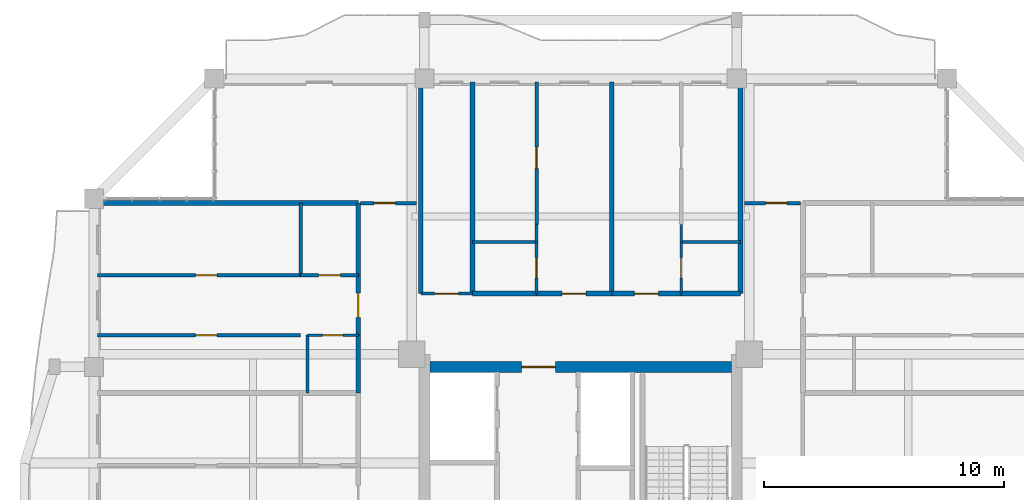
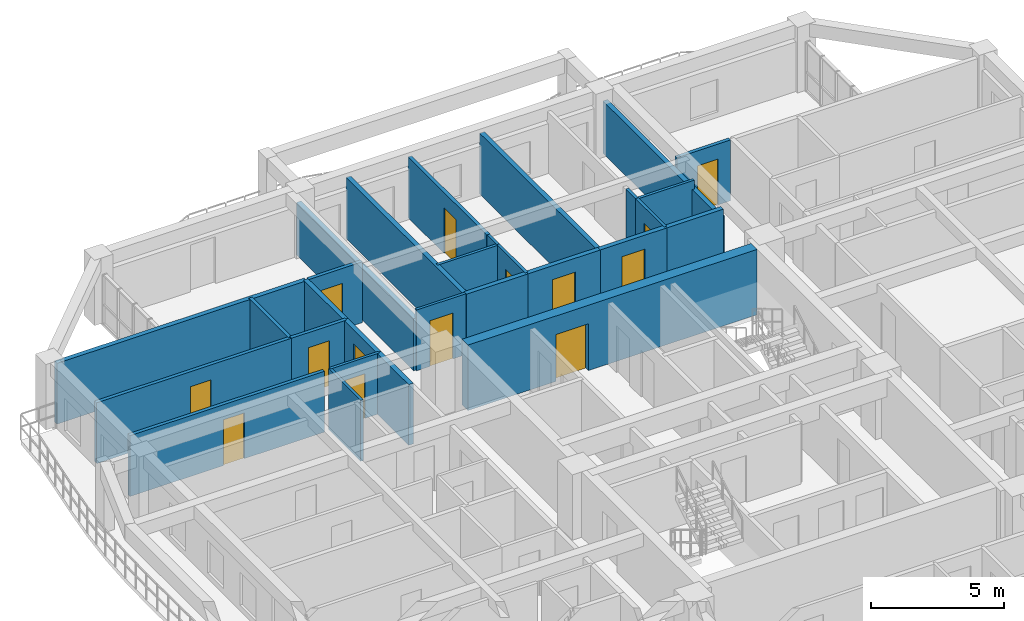
# One storey, part 14 of 21: 29 walls, 14 doors, 14 openings.
"""IFC4 building model written with IfcOpenShell, lengths in metres."""

from ifc_helpers import new_model, si_unit, direction, frame, frame_2d, origin, place, context, subcontext, project, spatial, rectangle, extrude, source, transform, mapped, material, layer, layer_set, type_object, element, fill, save


model = new_model("IFC4")

# Units and contexts
model_context = context("Model", 3, precision=1e-05, world=origin(), true_north=direction((0.0, 1.0)))
body_context = subcontext(model_context, "Body", "Model", "MODEL_VIEW")
ifc_project = project(units=[si_unit("LENGTHUNIT", "METRE"), si_unit("AREAUNIT", "SQUARE_METRE"), si_unit("VOLUMEUNIT", "CUBIC_METRE"), si_unit("PLANEANGLEUNIT", "RADIAN"), si_unit("MASSUNIT", "GRAM", prefix="KILO")], contexts=[model_context])

# Site, building, storey
site_placement = place(None, origin())
site = spatial("IfcSite", under=ifc_project, at=site_placement, CompositionType="ELEMENT")
building_placement = place(site_placement, origin())
building = spatial("IfcBuilding", under=site, at=building_placement, Name="Saelheon Loggia Tower", CompositionType="ELEMENT")
storey_placement = place(building_placement, frame((0.0, 0.0, 186.699951171875)))
storey = spatial("IfcBuildingStorey", under=building, at=storey_placement, Name="L58", CompositionType="ELEMENT", Elevation=186.699951171875)

# Wall, opening, door
ifc_material_1 = material(Name="Concrete C45/55", Category="concrete")
ifc_layer_1 = layer(ifc_material_1, 0.449951171875)
ifc_layer_set_1 = layer_set([ifc_layer_1], Name="Concrete C45/55")
wall_type_1 = type_object("IfcWallType", Name="Wall_CoreShear_450", PredefinedType="SHEAR", material=ifc_layer_set_1)
wall_1_placement = place(storey_placement, frame((31.72509765625, 36.0, 0.0), z_axis=(0.0, 0.0, 1.0), x_axis=(1.0, 0.0, 0.0)))
wall_1 = element("IfcWall", 1, at=wall_1_placement, inside=storey, type_object=wall_type_1, Name="L58 Core Shear Wall North", PredefinedType="SHEAR", context=body_context, shape_type="SweptSolid", body=[
    extrude(rectangle(XDim=12.5498046875, YDim=0.449951171875, at=frame_2d((6.27490234375, 0.0))), origin(), (0.0, 0.0, 1.0), 3.0),
])
opening_1_placement = place(wall_1_placement, frame((5.224853515625, 0.0, 0.0), z_axis=(0.0, 0.0, 1.0), x_axis=(-1.0, 0.0, 0.0)))
opening_1 = element("IfcOpeningElement", 2, at=opening_1_placement, cuts=wall_1, Name="Opening D-FD2L", PredefinedType="OPENING", context=body_context, shape_type="SweptSolid", body=[
    extrude(rectangle(XDim=1.39990234375, YDim=2.14990234375, at=frame_2d((0.699951171875, 1.074951171875))), frame((0.0, 0.237060546875, 0.0), z_axis=(0.0, -1.0, 0.0), x_axis=(1.0, 0.0, 0.0)), (0.0, 0.0, 1.0), 0.473876953125),
])
ifc_material_2 = material(Name="Galvanised Steel Glazed Lobby Fire Door", Category="steel")
door_type_1 = type_object("IfcDoorType", Name="Door_Fire_FD60_1400", OperationType="NOTDEFINED", PredefinedType="DOOR", material=ifc_material_2)
shared_shape_1 = source(origin(), body_context, "Body", "SweptSolid", [
    extrude(rectangle(XDim=1.39990234375, YDim=2.14990234375, at=frame_2d((0.699951171875, 1.074951171875))), frame((0.0, 0.02490234375, 0.0), z_axis=(0.0, -1.0, 0.0), x_axis=(1.0, 0.0, 0.0)), (0.0, 0.0, 1.0), 0.050048828125),
])
door_1_placement = place(opening_1_placement, origin())
door_1 = element("IfcDoor", 3, at=door_1_placement, inside=storey, type_object=door_type_1, Name="L58 Passenger Lift Lobby Main Door", OperationType="SINGLE_SWING_RIGHT", OverallHeight=2.14990234375, OverallWidth=1.39990234375, PredefinedType="DOOR", context=body_context, shape_type="MappedRepresentation", body=[
    mapped(shared_shape_1, transform((0.0, 0.0, 0.0), scale=1.0)),
])
fill(opening_1, door_1)

ifc_material_3 = material(Name="Lightweight Autoclaved Aerated Concrete Block and Acoustic Gypsum", Category="concrete")
ifc_layer_2 = layer(ifc_material_3, 0.14990234375)
ifc_layer_set_2 = layer_set([ifc_layer_2], Name="Lightweight Autoclaved Aerated Concrete Block and Acoustic Gypsum")
wall_type_2 = type_object("IfcWallType", Name="Wall_Part_150", PredefinedType="PARTITIONING", material=ifc_layer_set_2)
wall_2_placement = place(storey_placement, frame((28.85009765625, 42.820068359375, 0.0), z_axis=(0.0, 0.0, 1.0), x_axis=(1.0, 0.0, 0.0)))
wall_2 = element("IfcWall", 4, at=wall_2_placement, inside=storey, type_object=wall_type_2, Name="PW-L58-CNW-H", PredefinedType="PARTITIONING", context=body_context, shape_type="SweptSolid", body=[
    extrude(rectangle(XDim=2.329833984375, YDim=0.14990234375, at=frame_2d((1.1650390625, 0.0))), origin(), (0.0, 0.0, 1.0), 2.7900390625),
])
opening_2_placement = place(wall_2_placement, frame((0.550048828125, 0.0, 0.0)))
opening_2 = element("IfcOpeningElement", 5, at=opening_2_placement, cuts=wall_2, Name="Opening D-IN2", PredefinedType="OPENING", context=body_context, shape_type="SweptSolid", body=[
    extrude(rectangle(XDim=0.89990234375, YDim=2.10009765625, at=frame_2d((0.449951171875, 1.050048828125))), frame((0.0, 0.0869140625, 0.0), z_axis=(0.0, -1.0, 0.0), x_axis=(1.0, 0.0, 0.0)), (0.0, 0.0, 1.0), 0.173828125),
])
ifc_material_4 = material(Name="Engineered Oak Flush Door", Category="timber")
door_type_2 = type_object("IfcDoorType", Name="Door_Int_900", OperationType="NOTDEFINED", PredefinedType="DOOR", material=ifc_material_4)
shared_shape_2 = source(origin(), body_context, "Body", "SweptSolid", [
    extrude(rectangle(XDim=0.89990234375, YDim=2.10009765625, at=frame_2d((0.449951171875, 1.050048828125))), frame((0.0, 0.02490234375, 0.0), z_axis=(0.0, -1.0, 0.0), x_axis=(1.0, 0.0, 0.0)), (0.0, 0.0, 1.0), 0.050048828125),
])
door_2_placement = place(opening_2_placement, origin())
door_2 = element("IfcDoor", 6, at=door_2_placement, inside=storey, type_object=door_type_2, Name="L58 Corner Home Office NW Door", OperationType="SINGLE_SWING_RIGHT", OverallHeight=2.10009765625, OverallWidth=0.89990234375, PredefinedType="DOOR", context=body_context, shape_type="MappedRepresentation", body=[
    mapped(shared_shape_2, transform((0.0, 0.0, 0.0), scale=1.0)),
])
fill(opening_2, door_2)

wall_3_placement = place(storey_placement, frame((44.820068359375, 42.820068359375, 0.0), z_axis=(0.0, 0.0, 1.0), x_axis=(1.0, 0.0, 0.0)))
wall_3 = element("IfcWall", 7, at=wall_3_placement, inside=storey, type_object=wall_type_2, Name="PW-L58-CNE-H", PredefinedType="PARTITIONING", context=body_context, shape_type="SweptSolid", body=[
    extrude(rectangle(XDim=2.329833984375, YDim=0.14990234375, at=frame_2d((1.1650390625, 0.0))), origin(), (0.0, 0.0, 1.0), 2.7900390625),
])
opening_3_placement = place(wall_3_placement, frame((0.8798828125, 0.0, 0.0)))
opening_3 = element("IfcOpeningElement", 8, at=opening_3_placement, cuts=wall_3, Name="Opening D-IN2", PredefinedType="OPENING", context=body_context, shape_type="SweptSolid", body=[
    extrude(rectangle(XDim=0.89990234375, YDim=2.10009765625, at=frame_2d((0.449951171875, 1.050048828125))), frame((0.0, 0.0869140625, 0.0), z_axis=(0.0, -1.0, 0.0), x_axis=(1.0, 0.0, 0.0)), (0.0, 0.0, 1.0), 0.173828125),
])
door_3_placement = place(opening_3_placement, origin())
door_3 = element("IfcDoor", 9, at=door_3_placement, inside=storey, type_object=door_type_2, Name="L58 Corner Reading Room NE Door", OperationType="SINGLE_SWING_RIGHT", OverallHeight=2.10009765625, OverallWidth=0.89990234375, PredefinedType="DOOR", context=body_context, shape_type="MappedRepresentation", body=[
    mapped(shared_shape_2, transform((0.0, 0.0, 0.0), scale=1.0)),
])
fill(opening_3, door_3)

wall_4_placement = place(storey_placement, frame((36.1669921875, 41.929931640625, 0.0), z_axis=(0.0, 0.0, 1.0), x_axis=(0.0, 1.0, 0.0)))
wall_4 = element("IfcWall", 10, at=wall_4_placement, inside=storey, type_object=wall_type_2, Name="L58 N Partition U10", PredefinedType="PARTITIONING", context=body_context, shape_type="SweptSolid", body=[
    extrude(rectangle(XDim=5.920166015625, YDim=0.14990234375, at=frame_2d((2.9599609375, 0.0))), origin(), (0.0, 0.0, 1.0), 2.7900390625),
])
opening_4_placement = place(wall_4_placement, frame((2.32080078125, 0.0, 0.0)))
opening_4 = element("IfcOpeningElement", 11, at=opening_4_placement, cuts=wall_4, Name="Opening D-IN2", PredefinedType="OPENING", context=body_context, shape_type="SweptSolid", body=[
    extrude(rectangle(XDim=0.89990234375, YDim=2.10009765625, at=frame_2d((0.449951171875, 1.050048828125))), frame((0.0, 0.0869140625, 0.0), z_axis=(0.0, -1.0, 0.0), x_axis=(1.0, 0.0, 0.0)), (0.0, 0.0, 1.0), 0.173828125),
])
door_4_placement = place(opening_4_placement, origin())
door_4 = element("IfcDoor", 12, at=door_4_placement, inside=storey, type_object=door_type_2, Name="Unit U02 Kitchen Door", OperationType="SINGLE_SWING_RIGHT", OverallHeight=2.10009765625, OverallWidth=0.89990234375, PredefinedType="DOOR", context=body_context, shape_type="MappedRepresentation", body=[
    mapped(shared_shape_2, transform((0.0, 0.0, 0.0), scale=1.0)),
])
fill(opening_4, door_4)

# Wall
wall_5_placement = place(storey_placement, frame((26.35009765625, 39.814208984375, 0.0), z_axis=(0.0, 0.0, 1.0), x_axis=(0.0, 1.0, 0.0)))
element("IfcWall", 13, at=wall_5_placement, inside=storey, type_object=wall_type_2, Name="L58 W Partition V37", PredefinedType="PARTITIONING", context=body_context, shape_type="SweptSolid", body=[
    extrude(rectangle(XDim=3.005859375, YDim=0.14990234375, at=frame_2d((1.5029296875, 0.0))), origin(), (0.0, 0.0, 1.0), 2.7900390625),
])

# Wall, opening, door
wall_6_placement = place(storey_placement, frame((26.35009765625, 37.320068359375, 0.0), z_axis=(0.0, 0.0, 1.0), x_axis=(-1.0, 0.0, 0.0)))
wall_6 = element("IfcWall", 14, at=wall_6_placement, inside=storey, type_object=wall_type_2, Name="L58 W Partition U39", PredefinedType="PARTITIONING", context=body_context, shape_type="SweptSolid", body=[
    extrude(rectangle(XDim=8.4501953125, YDim=0.14990234375, at=frame_2d((4.22509765625, 0.0))), origin(), (0.0, 0.0, 1.0), 2.7900390625),
])
opening_5_placement = place(wall_6_placement, frame((3.48046875, 0.0, 0.0)))
opening_5 = element("IfcOpeningElement", 15, at=opening_5_placement, cuts=wall_6, Name="Opening D-IN2", PredefinedType="OPENING", context=body_context, shape_type="SweptSolid", body=[
    extrude(rectangle(XDim=0.89990234375, YDim=2.10009765625, at=frame_2d((0.449951171875, 1.050048828125))), frame((0.0, 0.0869140625, 0.0), z_axis=(0.0, -1.0, 0.0), x_axis=(1.0, 0.0, 0.0)), (0.0, 0.0, 1.0), 0.173828125),
])
door_5_placement = place(opening_5_placement, origin())
door_5 = element("IfcDoor", 16, at=door_5_placement, inside=storey, type_object=door_type_2, Name="Unit U07 Kitchen Door", OperationType="SINGLE_SWING_LEFT", OverallHeight=2.10009765625, OverallWidth=0.89990234375, PredefinedType="DOOR", context=body_context, shape_type="MappedRepresentation", body=[
    mapped(shared_shape_2, transform((0.0, 0.0, 0.0), scale=1.0)),
])
fill(opening_5, door_5)

wall_7_placement = place(storey_placement, frame((28.75, 39.814208984375, 0.0), z_axis=(0.0, 0.0, 1.0), x_axis=(-1.0, 0.0, 0.0)))
wall_7 = element("IfcWall", 17, at=wall_7_placement, inside=storey, type_object=wall_type_2, Name="L58 W Partition U40", PredefinedType="PARTITIONING", context=body_context, shape_type="SweptSolid", body=[
    extrude(rectangle(XDim=2.39990234375, YDim=0.14990234375, at=frame_2d((1.199951171875, 0.0))), origin(), (0.0, 0.0, 1.0), 2.7900390625),
])
opening_6_placement = place(wall_7_placement, frame((0.75, 0.0, 0.0)))
opening_6 = element("IfcOpeningElement", 18, at=opening_6_placement, cuts=wall_7, Name="Opening D-IN2", PredefinedType="OPENING", context=body_context, shape_type="SweptSolid", body=[
    extrude(rectangle(XDim=0.89990234375, YDim=2.10009765625, at=frame_2d((0.449951171875, 1.050048828125))), frame((0.0, 0.0869140625, 0.0), z_axis=(0.0, -1.0, 0.0), x_axis=(1.0, 0.0, 0.0)), (0.0, 0.0, 1.0), 0.173828125),
])
door_6_placement = place(opening_6_placement, origin())
door_6 = element("IfcDoor", 19, at=door_6_placement, inside=storey, type_object=door_type_2, Name="Unit U07 Dressing Closet Door", OperationType="SINGLE_SWING_RIGHT", OverallHeight=2.10009765625, OverallWidth=0.89990234375, PredefinedType="DOOR", context=body_context, shape_type="MappedRepresentation", body=[
    mapped(shared_shape_2, transform((0.0, 0.0, 0.0), scale=1.0)),
])
fill(opening_6, door_6)

wall_8_placement = place(storey_placement, frame((26.35009765625, 39.814208984375, 0.0), z_axis=(0.0, 0.0, 1.0), x_axis=(-1.0, 0.0, 0.0)))
wall_8 = element("IfcWall", 20, at=wall_8_placement, inside=storey, type_object=wall_type_2, Name="L58 W Partition U41", PredefinedType="PARTITIONING", context=body_context, shape_type="SweptSolid", body=[
    extrude(rectangle(XDim=8.4501953125, YDim=0.14990234375, at=frame_2d((4.22509765625, 0.0))), origin(), (0.0, 0.0, 1.0), 2.7900390625),
])
opening_7_placement = place(wall_8_placement, frame((3.48046875, 0.0, 0.0)))
opening_7 = element("IfcOpeningElement", 21, at=opening_7_placement, cuts=wall_8, Name="Opening D-IN2", PredefinedType="OPENING", context=body_context, shape_type="SweptSolid", body=[
    extrude(rectangle(XDim=0.89990234375, YDim=2.10009765625, at=frame_2d((0.449951171875, 1.050048828125))), frame((0.0, 0.0869140625, 0.0), z_axis=(0.0, -1.0, 0.0), x_axis=(1.0, 0.0, 0.0)), (0.0, 0.0, 1.0), 0.173828125),
])
door_7_placement = place(opening_7_placement, origin())
door_7 = element("IfcDoor", 22, at=door_7_placement, inside=storey, type_object=door_type_2, Name="Unit U07 Bedroom 1 Door", OperationType="SINGLE_SWING_LEFT", OverallHeight=2.10009765625, OverallWidth=0.89990234375, PredefinedType="DOOR", context=body_context, shape_type="MappedRepresentation", body=[
    mapped(shared_shape_2, transform((0.0, 0.0, 0.0), scale=1.0)),
])
fill(opening_7, door_7)

# Walls
ifc_material_5 = material(Name="Double Acoustic Stud and Fireboard Partition", Category="gypsum")
ifc_layer_3 = layer(ifc_material_5, 0.199951171875)
ifc_layer_set_3 = layer_set([ifc_layer_3], Name="Double Acoustic Stud and Fireboard Partition")
wall_type_3 = type_object("IfcWallType", Name="Wall_Party_200", PredefinedType="PARTITIONING", material=ifc_layer_set_3)
for number, where, z_axis, x_axis, name in (
    (23, (31.35009765625, 39.050048828125, 0.0), (0.0, 0.0, 1.0), (0.0, 1.0, 0.0), "L58 N Partition U01"),
    (24, (44.64990234375, 39.050048828125, 0.0), (0.0, 0.0, 1.0), (0.0, 1.0, 0.0), "L58 N Partition U02"),
):
    element("IfcWall", number, at=place(storey_placement, frame(where, z_axis=z_axis, x_axis=x_axis)), inside=storey, type_object=wall_type_3, Name=name, PredefinedType="PARTITIONING", context=body_context, shape_type="SweptSolid", body=[
        extrude(rectangle(XDim=8.800048828125, YDim=0.199951171875, at=frame_2d((4.39990234375, 0.0))), origin(), (0.0, 0.0, 1.0), 2.39013671875),
    ])
wall_9_placement = place(storey_placement, frame((33.5, 39.050048828125, 0.0), z_axis=(0.0, 0.0, 1.0), x_axis=(0.0, 1.0, 0.0)))
element("IfcWall", 25, at=wall_9_placement, inside=storey, type_object=wall_type_3, Name="L58 N Partition U03", PredefinedType="PARTITIONING", context=body_context, shape_type="SweptSolid", body=[
    extrude(rectangle(XDim=8.800048828125, YDim=0.199951171875, at=frame_2d((4.39990234375, 0.0))), origin(), (0.0, 0.0, 1.0), 2.7900390625),
])
wall_10_placement = place(storey_placement, frame((33.5, 39.050048828125, 0.0), z_axis=(0.0, 0.0, 1.0), x_axis=(1.0, 0.0, 0.0)))
element("IfcWall", 26, at=wall_10_placement, inside=storey, type_object=wall_type_3, Name="L58 N Partition V05", PredefinedType="PARTITIONING", context=body_context, shape_type="SweptSolid", body=[
    extrude(rectangle(XDim=2.6669921875, YDim=0.199951171875, at=frame_2d((1.33349609375, 0.0))), origin(), (0.0, 0.0, 1.0), 2.7900390625),
])

# Wall, opening, door
wall_11_placement = place(storey_placement, frame((36.1669921875, 39.050048828125, 0.0), z_axis=(0.0, 0.0, 1.0), x_axis=(1.0, 0.0, 0.0)))
wall_11 = element("IfcWall", 27, at=wall_11_placement, inside=storey, type_object=wall_type_3, Name="L58 N Partition V06", PredefinedType="PARTITIONING", context=body_context, shape_type="SweptSolid", body=[
    extrude(rectangle(XDim=3.131103515625, YDim=0.199951171875, at=frame_2d((1.5654296875, 0.0))), origin(), (0.0, 0.0, 1.0), 2.7900390625),
])
opening_8_placement = place(wall_11_placement, frame((1.0654296875, 0.0, 0.0)))
opening_8 = element("IfcOpeningElement", 28, at=opening_8_placement, cuts=wall_11, Name="Opening D-FD1", PredefinedType="OPENING", context=body_context, shape_type="SweptSolid", body=[
    extrude(rectangle(XDim=1.0, YDim=2.14990234375, at=frame_2d((0.5, 1.074951171875))), frame((0.0, 0.112060546875, 0.0), z_axis=(0.0, -1.0, 0.0), x_axis=(1.0, 0.0, 0.0)), (0.0, 0.0, 1.0), 0.223876953125),
])
ifc_material_6 = material(Name="Fire-Rated Engineered Timber Entrance Door", Category="wood")
door_type_3 = type_object("IfcDoorType", Name="Door_Flat_FD30S", OperationType="NOTDEFINED", PredefinedType="DOOR", material=ifc_material_6)
shared_shape_3 = source(origin(), body_context, "Body", "SweptSolid", [
    extrude(rectangle(XDim=1.0, YDim=2.14990234375, at=frame_2d((0.5, 1.074951171875))), frame((0.0, 0.02490234375, 0.0), z_axis=(0.0, -1.0, 0.0), x_axis=(1.0, 0.0, 0.0)), (0.0, 0.0, 1.0), 0.050048828125),
])
door_8_placement = place(opening_8_placement, origin())
door_8 = element("IfcDoor", 29, at=door_8_placement, inside=storey, type_object=door_type_3, Name="Unit U02 Entrance Door", OperationType="SINGLE_SWING_RIGHT", OverallHeight=2.14990234375, OverallWidth=1.0, PredefinedType="DOOR", context=body_context, shape_type="MappedRepresentation", body=[
    mapped(shared_shape_3, transform((0.0, 0.0, 0.0), scale=1.0)),
])
fill(opening_8, door_8)

# Wall
wall_12_placement = place(storey_placement, frame((39.298095703125, 39.050048828125, 0.0), z_axis=(0.0, 0.0, 1.0), x_axis=(0.0, 1.0, 0.0)))
element("IfcWall", 30, at=wall_12_placement, inside=storey, type_object=wall_type_3, Name="L58 N Partition U11", PredefinedType="PARTITIONING", context=body_context, shape_type="SweptSolid", body=[
    extrude(rectangle(XDim=8.800048828125, YDim=0.199951171875, at=frame_2d((4.39990234375, 0.0))), origin(), (0.0, 0.0, 1.0), 2.7900390625),
])

# Wall, opening, door
wall_13_placement = place(storey_placement, frame((39.298095703125, 39.050048828125, 0.0), z_axis=(0.0, 0.0, 1.0), x_axis=(1.0, 0.0, 0.0)))
wall_13 = element("IfcWall", 31, at=wall_13_placement, inside=storey, type_object=wall_type_3, Name="L58 N Partition V12", PredefinedType="PARTITIONING", context=body_context, shape_type="SweptSolid", body=[
    extrude(rectangle(XDim=2.889892578125, YDim=0.199951171875, at=frame_2d((1.44482421875, 0.0))), origin(), (0.0, 0.0, 1.0), 2.7900390625),
])
opening_9_placement = place(wall_13_placement, frame((0.945068359375, 0.0, 0.0)))
opening_9 = element("IfcOpeningElement", 32, at=opening_9_placement, cuts=wall_13, Name="Opening D-FD1", PredefinedType="OPENING", context=body_context, shape_type="SweptSolid", body=[
    extrude(rectangle(XDim=1.0, YDim=2.14990234375, at=frame_2d((0.5, 1.074951171875))), frame((0.0, 0.112060546875, 0.0), z_axis=(0.0, -1.0, 0.0), x_axis=(1.0, 0.0, 0.0)), (0.0, 0.0, 1.0), 0.223876953125),
])
door_9_placement = place(opening_9_placement, origin())
door_9 = element("IfcDoor", 33, at=door_9_placement, inside=storey, type_object=door_type_3, Name="Unit U03 Entrance Door", OperationType="SINGLE_SWING_LEFT", OverallHeight=2.14990234375, OverallWidth=1.0, PredefinedType="DOOR", context=body_context, shape_type="MappedRepresentation", body=[
    mapped(shared_shape_3, transform((0.0, 0.0, 0.0), scale=1.0)),
])
fill(opening_9, door_9)

# Walls
wall_14_placement = place(storey_placement, frame((42.18798828125, 39.050048828125, 0.0), z_axis=(0.0, 0.0, 1.0), x_axis=(1.0, 0.0, 0.0)))
element("IfcWall", 34, at=wall_14_placement, inside=storey, type_object=wall_type_3, Name="L58 N Partition V13", PredefinedType="PARTITIONING", context=body_context, shape_type="SweptSolid", body=[
    extrude(rectangle(XDim=2.4619140625, YDim=0.199951171875, at=frame_2d((1.23095703125, 0.0))), origin(), (0.0, 0.0, 1.0), 2.7900390625),
])
wall_15_placement = place(storey_placement, frame((28.75, 42.820068359375, 0.0), z_axis=(0.0, 0.0, 1.0), x_axis=(-1.0, 0.0, 0.0)))
element("IfcWall", 35, at=wall_15_placement, inside=storey, type_object=wall_type_3, Name="L58 W Partition U02", PredefinedType="PARTITIONING", context=body_context, shape_type="SweptSolid", body=[
    extrude(rectangle(XDim=10.85009765625, YDim=0.199951171875, at=frame_2d((5.425048828125, 0.0))), origin(), (0.0, 0.0, 1.0), 2.7900390625),
])
wall_16_placement = place(storey_placement, frame((28.75, 34.909912109375, 0.0), z_axis=(0.0, 0.0, 1.0), x_axis=(0.0, 1.0, 0.0)))
element("IfcWall", 36, at=wall_16_placement, inside=storey, type_object=wall_type_3, Name="L58 W Partition V33", PredefinedType="PARTITIONING", context=body_context, shape_type="SweptSolid", body=[
    extrude(rectangle(XDim=2.41015625, YDim=0.199951171875, at=frame_2d((1.205078125, 0.0))), origin(), (0.0, 0.0, 1.0), 2.7900390625),
])

# Wall, opening, door
wall_17_placement = place(storey_placement, frame((28.75, 37.320068359375, 0.0), z_axis=(0.0, 0.0, 1.0), x_axis=(0.0, 1.0, 0.0)))
wall_17 = element("IfcWall", 37, at=wall_17_placement, inside=storey, type_object=wall_type_3, Name="L58 W Partition V34", PredefinedType="PARTITIONING", context=body_context, shape_type="SweptSolid", body=[
    extrude(rectangle(XDim=2.494140625, YDim=0.199951171875, at=frame_2d((1.2470703125, 0.0))), origin(), (0.0, 0.0, 1.0), 2.7900390625),
])
opening_10_placement = place(wall_17_placement, frame((0.7470703125, 0.0, 0.0)))
opening_10 = element("IfcOpeningElement", 38, at=opening_10_placement, cuts=wall_17, Name="Opening D-FD1", PredefinedType="OPENING", context=body_context, shape_type="SweptSolid", body=[
    extrude(rectangle(XDim=1.0, YDim=2.14990234375, at=frame_2d((0.5, 1.074951171875))), frame((0.0, 0.112060546875, 0.0), z_axis=(0.0, -1.0, 0.0), x_axis=(1.0, 0.0, 0.0)), (0.0, 0.0, 1.0), 0.223876953125),
])
door_10_placement = place(opening_10_placement, origin())
door_10 = element("IfcDoor", 39, at=door_10_placement, inside=storey, type_object=door_type_3, Name="Unit U07 Entrance Door", OperationType="SINGLE_SWING_LEFT", OverallHeight=2.14990234375, OverallWidth=1.0, PredefinedType="DOOR", context=body_context, shape_type="MappedRepresentation", body=[
    mapped(shared_shape_3, transform((0.0, 0.0, 0.0), scale=1.0)),
])
fill(opening_10, door_10)

# Wall
wall_18_placement = place(storey_placement, frame((28.75, 39.814208984375, 0.0), z_axis=(0.0, 0.0, 1.0), x_axis=(0.0, 1.0, 0.0)))
element("IfcWall", 40, at=wall_18_placement, inside=storey, type_object=wall_type_3, Name="L58 W Partition V35", PredefinedType="PARTITIONING", context=body_context, shape_type="SweptSolid", body=[
    extrude(rectangle(XDim=3.005859375, YDim=0.199951171875, at=frame_2d((1.5029296875, 0.0))), origin(), (0.0, 0.0, 1.0), 2.7900390625),
])

# Wall, opening, door
ifc_material_7 = material(Name="Moisture-Resistant Cement Board Partition", Category="gypsum")
ifc_layer_4 = layer(ifc_material_7, 0.1201171875)
ifc_layer_set_4 = layer_set([ifc_layer_4], Name="Moisture-Resistant Cement Board Partition")
wall_type_4 = type_object("IfcWallType", Name="Wall_WetPart_120", PredefinedType="PARTITIONING", material=ifc_layer_set_4)
wall_19_placement = place(storey_placement, frame((31.35009765625, 39.050048828125, 0.0), z_axis=(0.0, 0.0, 1.0), x_axis=(1.0, 0.0, 0.0)))
wall_19 = element("IfcWall", 41, at=wall_19_placement, inside=storey, type_object=wall_type_4, Name="L58 N Partition V04", PredefinedType="PARTITIONING", context=body_context, shape_type="SweptSolid", body=[
    extrude(rectangle(XDim=2.14990234375, YDim=0.1201171875, at=frame_2d((1.074951171875, 0.0))), origin(), (0.0, 0.0, 1.0), 2.7900390625),
])
opening_11_placement = place(wall_19_placement, frame((0.574951171875, 0.0, 0.0)))
opening_11 = element("IfcOpeningElement", 42, at=opening_11_placement, cuts=wall_19, Name="Opening D-AC1", PredefinedType="OPENING", context=body_context, shape_type="SweptSolid", body=[
    extrude(rectangle(XDim=1.0, YDim=2.10009765625, at=frame_2d((0.5, 1.050048828125))), frame((0.0, 0.072021484375, 0.0), z_axis=(0.0, -1.0, 0.0), x_axis=(1.0, 0.0, 0.0)), (0.0, 0.0, 1.0), 0.14404296875),
])
ifc_material_8 = material(Name="Accessible Laminate Flush Door", Category="timber")
door_type_4 = type_object("IfcDoorType", Name="Door_Acc_1000", OperationType="NOTDEFINED", PredefinedType="DOOR", material=ifc_material_8)
shared_shape_4 = source(origin(), body_context, "Body", "SweptSolid", [
    extrude(rectangle(XDim=1.0, YDim=2.10009765625, at=frame_2d((0.5, 1.050048828125))), frame((0.0, 0.02490234375, 0.0), z_axis=(0.0, -1.0, 0.0), x_axis=(1.0, 0.0, 0.0)), (0.0, 0.0, 1.0), 0.050048828125),
])
door_11_placement = place(opening_11_placement, origin())
door_11 = element("IfcDoor", 43, at=door_11_placement, inside=storey, type_object=door_type_4, Name="L58 Floor Accessible WC Door", OperationType="SINGLE_SWING_LEFT", OverallHeight=2.10009765625, OverallWidth=1.0, PredefinedType="DOOR", context=body_context, shape_type="MappedRepresentation", body=[
    mapped(shared_shape_4, transform((0.0, 0.0, 0.0), scale=1.0)),
])
fill(opening_11, door_11)

wall_20_placement = place(storey_placement, frame((36.1669921875, 39.050048828125, 0.0), z_axis=(0.0, 0.0, 1.0), x_axis=(0.0, 1.0, 0.0)))
wall_20 = element("IfcWall", 44, at=wall_20_placement, inside=storey, type_object=wall_type_4, Name="L58 N Partition U07", PredefinedType="PARTITIONING", context=body_context, shape_type="SweptSolid", body=[
    extrude(rectangle(XDim=2.14990234375, YDim=0.1201171875, at=frame_2d((1.074951171875, 0.0))), origin(), (0.0, 0.0, 1.0), 2.7900390625),
])
opening_12_placement = place(wall_20_placement, frame((0.64990234375, 0.0, 0.0)))
opening_12 = element("IfcOpeningElement", 45, at=opening_12_placement, cuts=wall_20, Name="Opening D-BT1", PredefinedType="OPENING", context=body_context, shape_type="SweptSolid", body=[
    extrude(rectangle(XDim=0.85009765625, YDim=2.050048828125, at=frame_2d((0.425048828125, 1.02490234375))), frame((0.0, 0.072021484375, 0.0), z_axis=(0.0, -1.0, 0.0), x_axis=(1.0, 0.0, 0.0)), (0.0, 0.0, 1.0), 0.14404296875),
])
ifc_material_9 = material(Name="Moisture-Resistant Laminate Timber Door", Category="wood")
door_type_5 = type_object("IfcDoorType", Name="Door_Bath_850", OperationType="NOTDEFINED", PredefinedType="DOOR", material=ifc_material_9)
shared_shape_5 = source(origin(), body_context, "Body", "SweptSolid", [
    extrude(rectangle(XDim=0.85009765625, YDim=2.050048828125, at=frame_2d((0.425048828125, 1.02490234375))), frame((0.0, 0.02490234375, 0.0), z_axis=(0.0, -1.0, 0.0), x_axis=(1.0, 0.0, 0.0)), (0.0, 0.0, 1.0), 0.050048828125),
])
door_12_placement = place(opening_12_placement, origin())
door_12 = element("IfcDoor", 46, at=door_12_placement, inside=storey, type_object=door_type_5, Name="Unit U02 Bathroom Door", OperationType="SINGLE_SWING_LEFT", OverallHeight=2.050048828125, OverallWidth=0.85009765625, PredefinedType="DOOR", context=body_context, shape_type="MappedRepresentation", body=[
    mapped(shared_shape_5, transform((0.0, 0.0, 0.0), scale=1.0)),
])
fill(opening_12, door_12)

# Walls
wall_21_placement = place(storey_placement, frame((36.1669921875, 41.199951171875, 0.0), z_axis=(0.0, 0.0, 1.0), x_axis=(0.0, 1.0, 0.0)))
element("IfcWall", 47, at=wall_21_placement, inside=storey, type_object=wall_type_4, Name="L58 N Partition U08", PredefinedType="PARTITIONING", context=body_context, shape_type="SweptSolid", body=[
    extrude(rectangle(XDim=0.72998046875, YDim=0.1201171875, at=frame_2d((0.364990234375, 0.0))), origin(), (0.0, 0.0, 1.0), 2.7900390625),
])
wall_22_placement = place(storey_placement, frame((33.5, 41.199951171875, 0.0), z_axis=(0.0, 0.0, 1.0), x_axis=(1.0, 0.0, 0.0)))
element("IfcWall", 48, at=wall_22_placement, inside=storey, type_object=wall_type_4, Name="L58 N Partition V09", PredefinedType="PARTITIONING", context=body_context, shape_type="SweptSolid", body=[
    extrude(rectangle(XDim=2.6669921875, YDim=0.1201171875, at=frame_2d((1.33349609375, 0.0))), origin(), (0.0, 0.0, 1.0), 2.7900390625),
])

# Wall, opening, door
wall_23_placement = place(storey_placement, frame((42.18798828125, 39.050048828125, 0.0), z_axis=(0.0, 0.0, 1.0), x_axis=(0.0, 1.0, 0.0)))
wall_23 = element("IfcWall", 49, at=wall_23_placement, inside=storey, type_object=wall_type_4, Name="L58 N Partition U14", PredefinedType="PARTITIONING", context=body_context, shape_type="SweptSolid", body=[
    extrude(rectangle(XDim=2.14990234375, YDim=0.1201171875, at=frame_2d((1.074951171875, 0.0))), origin(), (0.0, 0.0, 1.0), 2.7900390625),
])
opening_13_placement = place(wall_23_placement, frame((0.64990234375, 0.0, 0.0)))
opening_13 = element("IfcOpeningElement", 50, at=opening_13_placement, cuts=wall_23, Name="Opening D-BT1", PredefinedType="OPENING", context=body_context, shape_type="SweptSolid", body=[
    extrude(rectangle(XDim=0.85009765625, YDim=2.050048828125, at=frame_2d((0.425048828125, 1.02490234375))), frame((0.0, 0.072021484375, 0.0), z_axis=(0.0, -1.0, 0.0), x_axis=(1.0, 0.0, 0.0)), (0.0, 0.0, 1.0), 0.14404296875),
])
door_13_placement = place(opening_13_placement, origin())
door_13 = element("IfcDoor", 51, at=door_13_placement, inside=storey, type_object=door_type_5, Name="Unit U03 Bathroom Door", OperationType="SINGLE_SWING_RIGHT", OverallHeight=2.050048828125, OverallWidth=0.85009765625, PredefinedType="DOOR", context=body_context, shape_type="MappedRepresentation", body=[
    mapped(shared_shape_5, transform((0.0, 0.0, 0.0), scale=1.0)),
])
fill(opening_13, door_13)

# Walls
wall_24_placement = place(storey_placement, frame((42.18798828125, 41.199951171875, 0.0), z_axis=(0.0, 0.0, 1.0), x_axis=(0.0, 1.0, 0.0)))
element("IfcWall", 52, at=wall_24_placement, inside=storey, type_object=wall_type_4, Name="L58 N Partition U15", PredefinedType="PARTITIONING", context=body_context, shape_type="SweptSolid", body=[
    extrude(rectangle(XDim=0.72998046875, YDim=0.1201171875, at=frame_2d((0.364990234375, 0.0))), origin(), (0.0, 0.0, 1.0), 2.7900390625),
])
wall_25_placement = place(storey_placement, frame((42.18798828125, 41.199951171875, 0.0), z_axis=(0.0, 0.0, 1.0), x_axis=(1.0, 0.0, 0.0)))
element("IfcWall", 53, at=wall_25_placement, inside=storey, type_object=wall_type_4, Name="L58 N Partition V16", PredefinedType="PARTITIONING", context=body_context, shape_type="SweptSolid", body=[
    extrude(rectangle(XDim=2.4619140625, YDim=0.1201171875, at=frame_2d((1.23095703125, 0.0))), origin(), (0.0, 0.0, 1.0), 2.7900390625),
])
wall_26_placement = place(storey_placement, frame((26.6298828125, 34.909912109375, 0.0), z_axis=(0.0, 0.0, 1.0), x_axis=(0.0, 1.0, 0.0)))
element("IfcWall", 54, at=wall_26_placement, inside=storey, type_object=wall_type_4, Name="L58 W Partition V36", PredefinedType="PARTITIONING", context=body_context, shape_type="SweptSolid", body=[
    extrude(rectangle(XDim=2.41015625, YDim=0.1201171875, at=frame_2d((1.205078125, 0.0))), origin(), (0.0, 0.0, 1.0), 2.7900390625),
])

# Wall, opening, door
wall_27_placement = place(storey_placement, frame((28.75, 37.320068359375, 0.0), z_axis=(0.0, 0.0, 1.0), x_axis=(-1.0, 0.0, 0.0)))
wall_27 = element("IfcWall", 55, at=wall_27_placement, inside=storey, type_object=wall_type_4, Name="L58 W Partition U38", PredefinedType="PARTITIONING", context=body_context, shape_type="SweptSolid", body=[
    extrude(rectangle(XDim=2.1201171875, YDim=0.1201171875, at=frame_2d((1.06005859375, 0.0))), origin(), (0.0, 0.0, 1.0), 2.7900390625),
])
opening_14_placement = place(wall_27_placement, frame((0.635009765625, 0.0, 0.0)))
opening_14 = element("IfcOpeningElement", 56, at=opening_14_placement, cuts=wall_27, Name="Opening D-BT1", PredefinedType="OPENING", context=body_context, shape_type="SweptSolid", body=[
    extrude(rectangle(XDim=0.85009765625, YDim=2.050048828125, at=frame_2d((0.425048828125, 1.02490234375))), frame((0.0, 0.072021484375, 0.0), z_axis=(0.0, -1.0, 0.0), x_axis=(1.0, 0.0, 0.0)), (0.0, 0.0, 1.0), 0.14404296875),
])
door_14_placement = place(opening_14_placement, origin())
door_14 = element("IfcDoor", 57, at=door_14_placement, inside=storey, type_object=door_type_5, Name="Unit U07 Bathroom Door", OperationType="SINGLE_SWING_RIGHT", OverallHeight=2.050048828125, OverallWidth=0.85009765625, PredefinedType="DOOR", context=body_context, shape_type="MappedRepresentation", body=[
    mapped(shared_shape_5, transform((0.0, 0.0, 0.0), scale=1.0)),
])
fill(opening_14, door_14)

save(model, "model.ifc")
